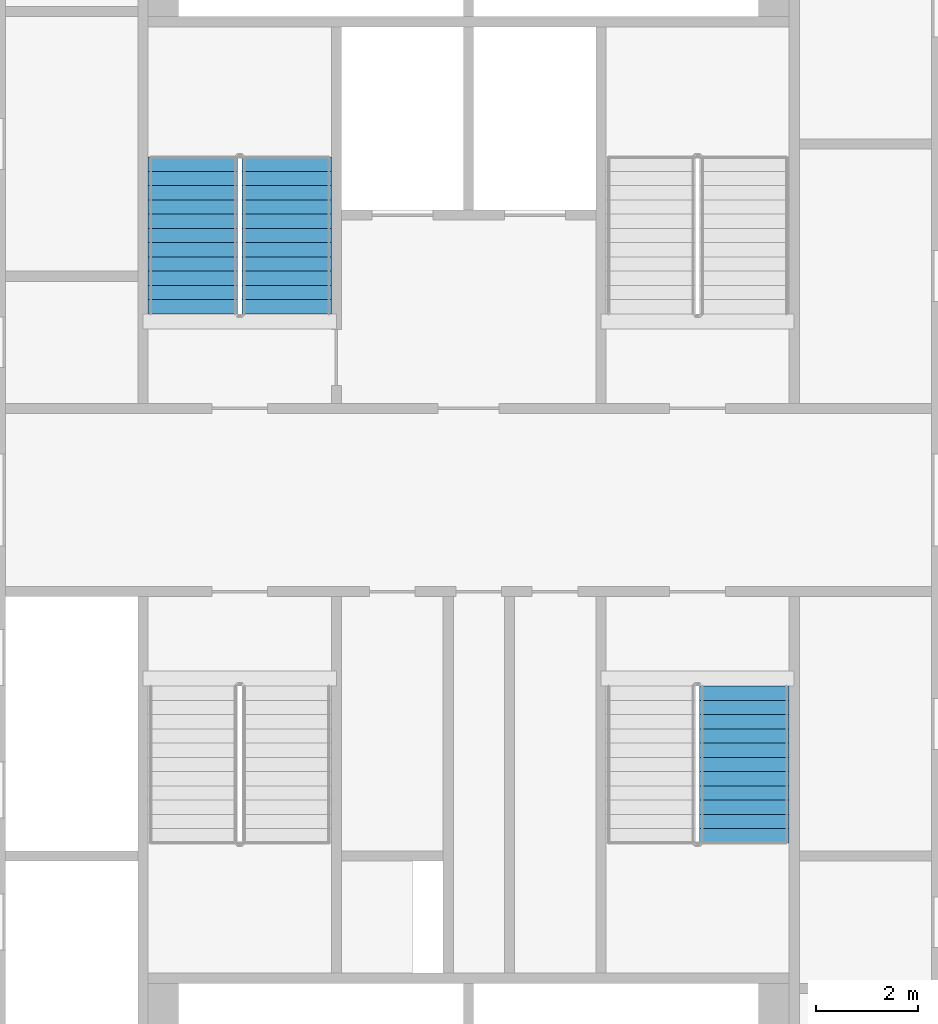
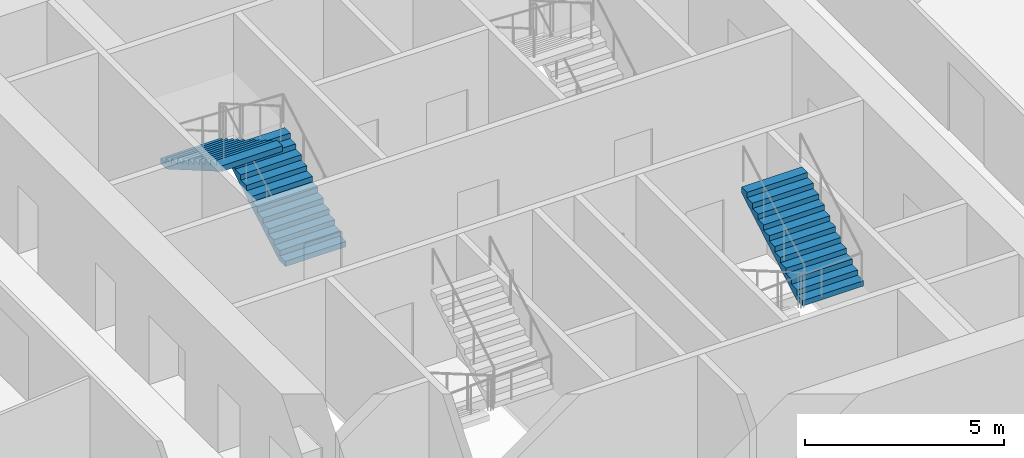
# One storey, part 16 of 22: 3 stair flights, 2 elements without a shape of their own.
"""IFC4 building model written with IfcOpenShell, lengths in metres."""

from ifc_helpers import new_model, si_unit, direction, frame, origin, place, context, subcontext, project, spatial, faceted_brep, material, type_object, element, aggregate, save


model = new_model("IFC4")

# Units and contexts
model_context = context("Model", 3, precision=1e-05, world=origin(), true_north=direction((0.0, 1.0)))
body_context = subcontext(model_context, "Body", "Model", "MODEL_VIEW")
ifc_project = project(units=[si_unit("LENGTHUNIT", "METRE"), si_unit("AREAUNIT", "SQUARE_METRE"), si_unit("VOLUMEUNIT", "CUBIC_METRE"), si_unit("PLANEANGLEUNIT", "RADIAN"), si_unit("MASSUNIT", "GRAM", prefix="KILO")], contexts=[model_context])

# Site, building, storey
site_placement = place(None, origin())
site = spatial("IfcSite", under=ifc_project, at=site_placement, CompositionType="ELEMENT")
building_placement = place(site_placement, origin())
building = spatial("IfcBuilding", under=site, at=building_placement, Name="Tarsis Ring Headquarters", CompositionType="ELEMENT")
storey_placement = place(building_placement, frame((0.0, 0.0, 71.199951171875)))
storey = spatial("IfcBuildingStorey", under=building, at=storey_placement, Name="L15", CompositionType="ELEMENT", Elevation=71.199951171875)

# Stair, stair flights
ifc_material_1 = material(Name="Core stair 1760")
stair_type = type_object("IfcStairType", Name="Core stair 1760", PredefinedType="HALF_TURN_STAIR", material=ifc_material_1)
stair_1_placement = place(storey_placement, origin())
stair_1 = element("IfcStair", 1, at=stair_1_placement, inside=storey, type_object=stair_type, Name="L15 Firefighting stair", PredefinedType="HALF_TURN_STAIR")
ifc_material_2 = material(Name="Concrete C40/50", Category="concrete")
stair_flight_type = type_object("IfcStairFlightType", Name="Core stair flight 1760", PredefinedType="STRAIGHT", material=ifc_material_2)
stair_flight_1_placement = place(storey_placement, frame((-3.580078125, 3.659912109375, 0.0), z_axis=(0.0, 0.0, 1.0), x_axis=(0.0, 1.0, 0.0)))
stair_flight_1 = element("IfcStairFlight", 2, at=stair_flight_1_placement, type_object=stair_flight_type, Name="Stair ST1 flight 1", NumberOfRisers=12, NumberOfTreads=11, PredefinedType="STRAIGHT", RiserHeight=0.1625, TreadLength=0.28, context=body_context, shape_type="Brep", body=[
    faceted_brep([(0.0, 0.8798828125, 0.0), (0.0, 0.8798828125, 0.16259765625), (0.280029296875, 0.8798828125, 0.16259765625), (0.280029296875, 0.8798828125, 0.324951171875), (0.56005859375, 0.8798828125, 0.324951171875), (0.56005859375, 0.8798828125, 0.487548828125), (0.840087890625, 0.8798828125, 0.487548828125), (0.840087890625, 0.8798828125, 0.64990234375), (1.1201171875, 0.8798828125, 0.64990234375), (1.1201171875, 0.8798828125, 0.8125), (1.39990234375, 0.8798828125, 0.8125), (1.39990234375, 0.8798828125, 0.97509765625), (1.679931640625, 0.8798828125, 0.97509765625), (1.679931640625, 0.8798828125, 1.137451171875), (1.9599609375, 0.8798828125, 1.137451171875), (1.9599609375, 0.8798828125, 1.300048828125), (2.239990234375, 0.8798828125, 1.300048828125), (2.239990234375, 0.8798828125, 1.46240234375), (2.52001953125, 0.8798828125, 1.46240234375), (2.52001953125, 0.8798828125, 1.625), (2.800048828125, 0.8798828125, 1.625), (2.800048828125, 0.8798828125, 1.78759765625), (3.080078125, 0.8798828125, 1.78759765625), (3.080078125, 0.8798828125, 1.6142578125), (0.298583984375, 0.8798828125, 0.0), (0.298583984375, -0.8798828125, 0.0), (3.080078125, -0.8798828125, 1.6142578125), (3.080078125, -0.8798828125, 1.78759765625), (2.800048828125, -0.8798828125, 1.78759765625), (2.800048828125, -0.8798828125, 1.625), (2.52001953125, -0.8798828125, 1.625), (2.52001953125, -0.8798828125, 1.46240234375), (2.239990234375, -0.8798828125, 1.46240234375), (2.239990234375, -0.8798828125, 1.300048828125), (1.9599609375, -0.8798828125, 1.300048828125), (1.9599609375, -0.8798828125, 1.137451171875), (1.679931640625, -0.8798828125, 1.137451171875), (1.679931640625, -0.8798828125, 0.97509765625), (1.39990234375, -0.8798828125, 0.97509765625), (1.39990234375, -0.8798828125, 0.8125), (1.1201171875, -0.8798828125, 0.8125), (1.1201171875, -0.8798828125, 0.64990234375), (0.840087890625, -0.8798828125, 0.64990234375), (0.840087890625, -0.8798828125, 0.487548828125), (0.56005859375, -0.8798828125, 0.487548828125), (0.56005859375, -0.8798828125, 0.324951171875), (0.280029296875, -0.8798828125, 0.324951171875), (0.280029296875, -0.8798828125, 0.16259765625), (0.0, -0.8798828125, 0.16259765625), (0.0, -0.8798828125, 0.0), (0.0, -0.43994140625, 0.16259765625), (0.0, -0.43994140625, 0.0), (0.0, 0.0, 0.16259765625), (0.0, 0.0, 0.0), (0.0, 0.43994140625, 0.16259765625), (0.0, 0.43994140625, 0.0), (0.280029296875, -0.43994140625, 0.16259765625), (0.280029296875, 0.0, 0.16259765625), (0.280029296875, 0.43994140625, 0.16259765625), (0.280029296875, -0.43994140625, 0.324951171875), (0.280029296875, 0.0, 0.324951171875), (0.280029296875, 0.43994140625, 0.324951171875), (0.56005859375, -0.43994140625, 0.324951171875), (0.56005859375, 0.0, 0.324951171875), (0.56005859375, 0.43994140625, 0.324951171875), (0.56005859375, -0.43994140625, 0.487548828125), (0.56005859375, 0.0, 0.487548828125), (0.56005859375, 0.43994140625, 0.487548828125), (0.840087890625, -0.43994140625, 0.487548828125), (0.840087890625, 0.0, 0.487548828125), (0.840087890625, 0.43994140625, 0.487548828125), (0.840087890625, -0.43994140625, 0.64990234375), (0.840087890625, 0.0, 0.64990234375), (0.840087890625, 0.43994140625, 0.64990234375), (1.1201171875, -0.43994140625, 0.64990234375), (1.1201171875, 0.0, 0.64990234375), (1.1201171875, 0.43994140625, 0.64990234375), (1.1201171875, -0.43994140625, 0.8125), (1.1201171875, 0.0, 0.8125), (1.1201171875, 0.43994140625, 0.8125), (1.39990234375, -0.43994140625, 0.8125), (1.39990234375, 0.0, 0.8125), (1.39990234375, 0.43994140625, 0.8125), (1.39990234375, -0.43994140625, 0.97509765625), (1.39990234375, 0.0, 0.97509765625), (1.39990234375, 0.43994140625, 0.97509765625), (1.679931640625, -0.43994140625, 0.97509765625), (1.679931640625, 0.0, 0.97509765625), (1.679931640625, 0.43994140625, 0.97509765625), (1.679931640625, -0.43994140625, 1.137451171875), (1.679931640625, 0.0, 1.137451171875), (1.679931640625, 0.43994140625, 1.137451171875), (1.9599609375, -0.43994140625, 1.137451171875), (1.9599609375, 0.0, 1.137451171875), (1.9599609375, 0.43994140625, 1.137451171875), (1.9599609375, -0.43994140625, 1.300048828125), (1.9599609375, 0.0, 1.300048828125), (1.9599609375, 0.43994140625, 1.300048828125), (2.239990234375, -0.43994140625, 1.300048828125), (2.239990234375, 0.0, 1.300048828125), (2.239990234375, 0.43994140625, 1.300048828125), (2.239990234375, -0.43994140625, 1.46240234375), (2.239990234375, 0.0, 1.46240234375), (2.239990234375, 0.43994140625, 1.46240234375), (2.52001953125, -0.43994140625, 1.46240234375), (2.52001953125, 0.0, 1.46240234375), (2.52001953125, 0.43994140625, 1.46240234375), (2.52001953125, -0.43994140625, 1.625), (2.52001953125, 0.0, 1.625), (2.52001953125, 0.43994140625, 1.625), (2.800048828125, -0.43994140625, 1.625), (2.800048828125, 0.0, 1.625), (2.800048828125, 0.43994140625, 1.625), (2.800048828125, -0.43994140625, 1.78759765625), (2.800048828125, 0.0, 1.78759765625), (2.800048828125, 0.43994140625, 1.78759765625), (3.080078125, -0.43994140625, 1.78759765625), (3.080078125, 0.0, 1.78759765625), (3.080078125, 0.43994140625, 1.78759765625), (3.080078125, -0.43994140625, 1.6142578125), (3.080078125, 0.0, 1.6142578125), (3.080078125, 0.43994140625, 1.6142578125), (0.298583984375, -0.43994140625, 0.0), (0.298583984375, 0.0, 0.0), (0.298583984375, 0.43994140625, 0.0)], [[[0, 1, 2, 3, 4, 5, 6, 7, 8, 9, 10, 11, 12, 13, 14, 15, 16, 17, 18, 19, 20, 21, 22, 23, 24]], [[25, 26, 27, 28, 29, 30, 31, 32, 33, 34, 35, 36, 37, 38, 39, 40, 41, 42, 43, 44, 45, 46, 47, 48, 49]], [[49, 48, 50, 51]], [[51, 50, 52, 53]], [[53, 52, 54, 55]], [[55, 54, 1, 0]], [[48, 47, 56, 50]], [[50, 56, 57, 52]], [[52, 57, 58, 54]], [[54, 58, 2, 1]], [[47, 46, 59, 56]], [[56, 59, 60, 57]], [[57, 60, 61, 58]], [[58, 61, 3, 2]], [[46, 45, 62, 59]], [[59, 62, 63, 60]], [[60, 63, 64, 61]], [[61, 64, 4, 3]], [[45, 44, 65, 62]], [[62, 65, 66, 63]], [[63, 66, 67, 64]], [[64, 67, 5, 4]], [[44, 43, 68, 65]], [[65, 68, 69, 66]], [[66, 69, 70, 67]], [[67, 70, 6, 5]], [[43, 42, 71, 68]], [[68, 71, 72, 69]], [[69, 72, 73, 70]], [[70, 73, 7, 6]], [[42, 41, 74, 71]], [[71, 74, 75, 72]], [[72, 75, 76, 73]], [[73, 76, 8, 7]], [[41, 40, 77, 74]], [[74, 77, 78, 75]], [[75, 78, 79, 76]], [[76, 79, 9, 8]], [[40, 39, 80, 77]], [[77, 80, 81, 78]], [[78, 81, 82, 79]], [[79, 82, 10, 9]], [[39, 38, 83, 80]], [[80, 83, 84, 81]], [[81, 84, 85, 82]], [[82, 85, 11, 10]], [[38, 37, 86, 83]], [[83, 86, 87, 84]], [[84, 87, 88, 85]], [[85, 88, 12, 11]], [[37, 36, 89, 86]], [[86, 89, 90, 87]], [[87, 90, 91, 88]], [[88, 91, 13, 12]], [[36, 35, 92, 89]], [[89, 92, 93, 90]], [[90, 93, 94, 91]], [[91, 94, 14, 13]], [[35, 34, 95, 92]], [[92, 95, 96, 93]], [[93, 96, 97, 94]], [[94, 97, 15, 14]], [[34, 33, 98, 95]], [[95, 98, 99, 96]], [[96, 99, 100, 97]], [[97, 100, 16, 15]], [[33, 32, 101, 98]], [[98, 101, 102, 99]], [[99, 102, 103, 100]], [[100, 103, 17, 16]], [[32, 31, 104, 101]], [[101, 104, 105, 102]], [[102, 105, 106, 103]], [[103, 106, 18, 17]], [[31, 30, 107, 104]], [[104, 107, 108, 105]], [[105, 108, 109, 106]], [[106, 109, 19, 18]], [[30, 29, 110, 107]], [[107, 110, 111, 108]], [[108, 111, 112, 109]], [[109, 112, 20, 19]], [[29, 28, 113, 110]], [[110, 113, 114, 111]], [[111, 114, 115, 112]], [[112, 115, 21, 20]], [[28, 27, 116, 113]], [[113, 116, 117, 114]], [[114, 117, 118, 115]], [[115, 118, 22, 21]], [[27, 26, 119, 116]], [[116, 119, 120, 117]], [[117, 120, 121, 118]], [[118, 121, 23, 22]], [[26, 25, 122, 119]], [[119, 122, 123, 120]], [[120, 123, 124, 121]], [[121, 124, 24, 23]], [[25, 49, 51, 122]], [[122, 51, 53, 123]], [[123, 53, 55, 124]], [[124, 55, 0, 24]]]),
])
stair_flight_2_placement = place(storey_placement, frame((-5.419921875, 6.739990234375, 1.949951171875), z_axis=(0.0, 0.0, 1.0), x_axis=(0.0, -1.0, 0.0)))
stair_flight_2 = element("IfcStairFlight", 3, at=stair_flight_2_placement, type_object=stair_flight_type, Name="Stair ST1 flight 2", NumberOfRisers=12, NumberOfTreads=11, PredefinedType="STRAIGHT", RiserHeight=0.1625, TreadLength=0.28, context=body_context, shape_type="Brep", body=[
    faceted_brep([(0.0, 0.8798828125, 0.0), (0.0, 0.8798828125, 0.16259765625), (0.280029296875, 0.8798828125, 0.16259765625), (0.280029296875, 0.8798828125, 0.324951171875), (0.56005859375, 0.8798828125, 0.324951171875), (0.56005859375, 0.8798828125, 0.487548828125), (0.840087890625, 0.8798828125, 0.487548828125), (0.840087890625, 0.8798828125, 0.64990234375), (1.1201171875, 0.8798828125, 0.64990234375), (1.1201171875, 0.8798828125, 0.8125), (1.39990234375, 0.8798828125, 0.8125), (1.39990234375, 0.8798828125, 0.97509765625), (1.679931640625, 0.8798828125, 0.97509765625), (1.679931640625, 0.8798828125, 1.137451171875), (1.9599609375, 0.8798828125, 1.137451171875), (1.9599609375, 0.8798828125, 1.300048828125), (2.239990234375, 0.8798828125, 1.300048828125), (2.239990234375, 0.8798828125, 1.46240234375), (2.52001953125, 0.8798828125, 1.46240234375), (2.52001953125, 0.8798828125, 1.625), (2.800048828125, 0.8798828125, 1.625), (2.800048828125, 0.8798828125, 1.78759765625), (3.080078125, 0.8798828125, 1.78759765625), (3.080078125, 0.8798828125, 1.6142578125), (0.298583984375, 0.8798828125, 0.0), (0.298583984375, -0.8798828125, 0.0), (3.080078125, -0.8798828125, 1.6142578125), (3.080078125, -0.8798828125, 1.78759765625), (2.800048828125, -0.8798828125, 1.78759765625), (2.800048828125, -0.8798828125, 1.625), (2.52001953125, -0.8798828125, 1.625), (2.52001953125, -0.8798828125, 1.46240234375), (2.239990234375, -0.8798828125, 1.46240234375), (2.239990234375, -0.8798828125, 1.300048828125), (1.9599609375, -0.8798828125, 1.300048828125), (1.9599609375, -0.8798828125, 1.137451171875), (1.679931640625, -0.8798828125, 1.137451171875), (1.679931640625, -0.8798828125, 0.97509765625), (1.39990234375, -0.8798828125, 0.97509765625), (1.39990234375, -0.8798828125, 0.8125), (1.1201171875, -0.8798828125, 0.8125), (1.1201171875, -0.8798828125, 0.64990234375), (0.840087890625, -0.8798828125, 0.64990234375), (0.840087890625, -0.8798828125, 0.487548828125), (0.56005859375, -0.8798828125, 0.487548828125), (0.56005859375, -0.8798828125, 0.324951171875), (0.280029296875, -0.8798828125, 0.324951171875), (0.280029296875, -0.8798828125, 0.16259765625), (0.0, -0.8798828125, 0.16259765625), (0.0, -0.8798828125, 0.0), (0.0, -0.43994140625, 0.16259765625), (0.0, -0.43994140625, 0.0), (0.0, 0.0, 0.16259765625), (0.0, 0.0, 0.0), (0.0, 0.43994140625, 0.16259765625), (0.0, 0.43994140625, 0.0), (0.280029296875, -0.43994140625, 0.16259765625), (0.280029296875, 0.0, 0.16259765625), (0.280029296875, 0.43994140625, 0.16259765625), (0.280029296875, -0.43994140625, 0.324951171875), (0.280029296875, 0.0, 0.324951171875), (0.280029296875, 0.43994140625, 0.324951171875), (0.56005859375, -0.43994140625, 0.324951171875), (0.56005859375, 0.0, 0.324951171875), (0.56005859375, 0.43994140625, 0.324951171875), (0.56005859375, -0.43994140625, 0.487548828125), (0.56005859375, 0.0, 0.487548828125), (0.56005859375, 0.43994140625, 0.487548828125), (0.840087890625, -0.43994140625, 0.487548828125), (0.840087890625, 0.0, 0.487548828125), (0.840087890625, 0.43994140625, 0.487548828125), (0.840087890625, -0.43994140625, 0.64990234375), (0.840087890625, 0.0, 0.64990234375), (0.840087890625, 0.43994140625, 0.64990234375), (1.1201171875, -0.43994140625, 0.64990234375), (1.1201171875, 0.0, 0.64990234375), (1.1201171875, 0.43994140625, 0.64990234375), (1.1201171875, -0.43994140625, 0.8125), (1.1201171875, 0.0, 0.8125), (1.1201171875, 0.43994140625, 0.8125), (1.39990234375, -0.43994140625, 0.8125), (1.39990234375, 0.0, 0.8125), (1.39990234375, 0.43994140625, 0.8125), (1.39990234375, -0.43994140625, 0.97509765625), (1.39990234375, 0.0, 0.97509765625), (1.39990234375, 0.43994140625, 0.97509765625), (1.679931640625, -0.43994140625, 0.97509765625), (1.679931640625, 0.0, 0.97509765625), (1.679931640625, 0.43994140625, 0.97509765625), (1.679931640625, -0.43994140625, 1.137451171875), (1.679931640625, 0.0, 1.137451171875), (1.679931640625, 0.43994140625, 1.137451171875), (1.9599609375, -0.43994140625, 1.137451171875), (1.9599609375, 0.0, 1.137451171875), (1.9599609375, 0.43994140625, 1.137451171875), (1.9599609375, -0.43994140625, 1.300048828125), (1.9599609375, 0.0, 1.300048828125), (1.9599609375, 0.43994140625, 1.300048828125), (2.239990234375, -0.43994140625, 1.300048828125), (2.239990234375, 0.0, 1.300048828125), (2.239990234375, 0.43994140625, 1.300048828125), (2.239990234375, -0.43994140625, 1.46240234375), (2.239990234375, 0.0, 1.46240234375), (2.239990234375, 0.43994140625, 1.46240234375), (2.52001953125, -0.43994140625, 1.46240234375), (2.52001953125, 0.0, 1.46240234375), (2.52001953125, 0.43994140625, 1.46240234375), (2.52001953125, -0.43994140625, 1.625), (2.52001953125, 0.0, 1.625), (2.52001953125, 0.43994140625, 1.625), (2.800048828125, -0.43994140625, 1.625), (2.800048828125, 0.0, 1.625), (2.800048828125, 0.43994140625, 1.625), (2.800048828125, -0.43994140625, 1.78759765625), (2.800048828125, 0.0, 1.78759765625), (2.800048828125, 0.43994140625, 1.78759765625), (3.080078125, -0.43994140625, 1.78759765625), (3.080078125, 0.0, 1.78759765625), (3.080078125, 0.43994140625, 1.78759765625), (3.080078125, -0.43994140625, 1.6142578125), (3.080078125, 0.0, 1.6142578125), (3.080078125, 0.43994140625, 1.6142578125), (0.298583984375, -0.43994140625, 0.0), (0.298583984375, 0.0, 0.0), (0.298583984375, 0.43994140625, 0.0)], [[[0, 1, 2, 3, 4, 5, 6, 7, 8, 9, 10, 11, 12, 13, 14, 15, 16, 17, 18, 19, 20, 21, 22, 23, 24]], [[25, 26, 27, 28, 29, 30, 31, 32, 33, 34, 35, 36, 37, 38, 39, 40, 41, 42, 43, 44, 45, 46, 47, 48, 49]], [[49, 48, 50, 51]], [[51, 50, 52, 53]], [[53, 52, 54, 55]], [[55, 54, 1, 0]], [[48, 47, 56, 50]], [[50, 56, 57, 52]], [[52, 57, 58, 54]], [[54, 58, 2, 1]], [[47, 46, 59, 56]], [[56, 59, 60, 57]], [[57, 60, 61, 58]], [[58, 61, 3, 2]], [[46, 45, 62, 59]], [[59, 62, 63, 60]], [[60, 63, 64, 61]], [[61, 64, 4, 3]], [[45, 44, 65, 62]], [[62, 65, 66, 63]], [[63, 66, 67, 64]], [[64, 67, 5, 4]], [[44, 43, 68, 65]], [[65, 68, 69, 66]], [[66, 69, 70, 67]], [[67, 70, 6, 5]], [[43, 42, 71, 68]], [[68, 71, 72, 69]], [[69, 72, 73, 70]], [[70, 73, 7, 6]], [[42, 41, 74, 71]], [[71, 74, 75, 72]], [[72, 75, 76, 73]], [[73, 76, 8, 7]], [[41, 40, 77, 74]], [[74, 77, 78, 75]], [[75, 78, 79, 76]], [[76, 79, 9, 8]], [[40, 39, 80, 77]], [[77, 80, 81, 78]], [[78, 81, 82, 79]], [[79, 82, 10, 9]], [[39, 38, 83, 80]], [[80, 83, 84, 81]], [[81, 84, 85, 82]], [[82, 85, 11, 10]], [[38, 37, 86, 83]], [[83, 86, 87, 84]], [[84, 87, 88, 85]], [[85, 88, 12, 11]], [[37, 36, 89, 86]], [[86, 89, 90, 87]], [[87, 90, 91, 88]], [[88, 91, 13, 12]], [[36, 35, 92, 89]], [[89, 92, 93, 90]], [[90, 93, 94, 91]], [[91, 94, 14, 13]], [[35, 34, 95, 92]], [[92, 95, 96, 93]], [[93, 96, 97, 94]], [[94, 97, 15, 14]], [[34, 33, 98, 95]], [[95, 98, 99, 96]], [[96, 99, 100, 97]], [[97, 100, 16, 15]], [[33, 32, 101, 98]], [[98, 101, 102, 99]], [[99, 102, 103, 100]], [[100, 103, 17, 16]], [[32, 31, 104, 101]], [[101, 104, 105, 102]], [[102, 105, 106, 103]], [[103, 106, 18, 17]], [[31, 30, 107, 104]], [[104, 107, 108, 105]], [[105, 108, 109, 106]], [[106, 109, 19, 18]], [[30, 29, 110, 107]], [[107, 110, 111, 108]], [[108, 111, 112, 109]], [[109, 112, 20, 19]], [[29, 28, 113, 110]], [[110, 113, 114, 111]], [[111, 114, 115, 112]], [[112, 115, 21, 20]], [[28, 27, 116, 113]], [[113, 116, 117, 114]], [[114, 117, 118, 115]], [[115, 118, 22, 21]], [[27, 26, 119, 116]], [[116, 119, 120, 117]], [[117, 120, 121, 118]], [[118, 121, 23, 22]], [[26, 25, 122, 119]], [[119, 122, 123, 120]], [[120, 123, 124, 121]], [[121, 124, 24, 23]], [[25, 49, 51, 122]], [[122, 51, 53, 123]], [[123, 53, 55, 124]], [[124, 55, 0, 24]]]),
])
aggregate(stair_1, [stair_flight_1, stair_flight_2])

# Stair, stair flight
stair_2_placement = place(storey_placement, origin())
stair_2 = element("IfcStair", 4, at=stair_2_placement, inside=storey, type_object=stair_type, Name="L15 Exit stair D", PredefinedType="HALF_TURN_STAIR")
stair_flight_3_placement = place(storey_placement, frame((5.419921875, -6.739990234375, 1.949951171875), z_axis=(0.0, 0.0, 1.0), x_axis=(0.0, 1.0, 0.0)))
stair_flight_3 = element("IfcStairFlight", 5, at=stair_flight_3_placement, type_object=stair_flight_type, Name="Stair ST4 flight 2", NumberOfRisers=12, NumberOfTreads=11, PredefinedType="STRAIGHT", RiserHeight=0.1625, TreadLength=0.28, context=body_context, shape_type="Brep", body=[
    faceted_brep([(0.0, 0.8798828125, 0.0), (0.0, 0.8798828125, 0.16259765625), (0.280029296875, 0.8798828125, 0.16259765625), (0.280029296875, 0.8798828125, 0.324951171875), (0.56005859375, 0.8798828125, 0.324951171875), (0.56005859375, 0.8798828125, 0.487548828125), (0.840087890625, 0.8798828125, 0.487548828125), (0.840087890625, 0.8798828125, 0.64990234375), (1.1201171875, 0.8798828125, 0.64990234375), (1.1201171875, 0.8798828125, 0.8125), (1.39990234375, 0.8798828125, 0.8125), (1.39990234375, 0.8798828125, 0.97509765625), (1.679931640625, 0.8798828125, 0.97509765625), (1.679931640625, 0.8798828125, 1.137451171875), (1.9599609375, 0.8798828125, 1.137451171875), (1.9599609375, 0.8798828125, 1.300048828125), (2.239990234375, 0.8798828125, 1.300048828125), (2.239990234375, 0.8798828125, 1.46240234375), (2.52001953125, 0.8798828125, 1.46240234375), (2.52001953125, 0.8798828125, 1.625), (2.800048828125, 0.8798828125, 1.625), (2.800048828125, 0.8798828125, 1.78759765625), (3.080078125, 0.8798828125, 1.78759765625), (3.080078125, 0.8798828125, 1.6142578125), (0.298583984375, 0.8798828125, 0.0), (0.298583984375, -0.8798828125, 0.0), (3.080078125, -0.8798828125, 1.6142578125), (3.080078125, -0.8798828125, 1.78759765625), (2.800048828125, -0.8798828125, 1.78759765625), (2.800048828125, -0.8798828125, 1.625), (2.52001953125, -0.8798828125, 1.625), (2.52001953125, -0.8798828125, 1.46240234375), (2.239990234375, -0.8798828125, 1.46240234375), (2.239990234375, -0.8798828125, 1.300048828125), (1.9599609375, -0.8798828125, 1.300048828125), (1.9599609375, -0.8798828125, 1.137451171875), (1.679931640625, -0.8798828125, 1.137451171875), (1.679931640625, -0.8798828125, 0.97509765625), (1.39990234375, -0.8798828125, 0.97509765625), (1.39990234375, -0.8798828125, 0.8125), (1.1201171875, -0.8798828125, 0.8125), (1.1201171875, -0.8798828125, 0.64990234375), (0.840087890625, -0.8798828125, 0.64990234375), (0.840087890625, -0.8798828125, 0.487548828125), (0.56005859375, -0.8798828125, 0.487548828125), (0.56005859375, -0.8798828125, 0.324951171875), (0.280029296875, -0.8798828125, 0.324951171875), (0.280029296875, -0.8798828125, 0.16259765625), (0.0, -0.8798828125, 0.16259765625), (0.0, -0.8798828125, 0.0), (0.0, -0.43994140625, 0.16259765625), (0.0, -0.43994140625, 0.0), (0.0, 0.0, 0.16259765625), (0.0, 0.0, 0.0), (0.0, 0.43994140625, 0.16259765625), (0.0, 0.43994140625, 0.0), (0.280029296875, -0.43994140625, 0.16259765625), (0.280029296875, 0.0, 0.16259765625), (0.280029296875, 0.43994140625, 0.16259765625), (0.280029296875, -0.43994140625, 0.324951171875), (0.280029296875, 0.0, 0.324951171875), (0.280029296875, 0.43994140625, 0.324951171875), (0.56005859375, -0.43994140625, 0.324951171875), (0.56005859375, 0.0, 0.324951171875), (0.56005859375, 0.43994140625, 0.324951171875), (0.56005859375, -0.43994140625, 0.487548828125), (0.56005859375, 0.0, 0.487548828125), (0.56005859375, 0.43994140625, 0.487548828125), (0.840087890625, -0.43994140625, 0.487548828125), (0.840087890625, 0.0, 0.487548828125), (0.840087890625, 0.43994140625, 0.487548828125), (0.840087890625, -0.43994140625, 0.64990234375), (0.840087890625, 0.0, 0.64990234375), (0.840087890625, 0.43994140625, 0.64990234375), (1.1201171875, -0.43994140625, 0.64990234375), (1.1201171875, 0.0, 0.64990234375), (1.1201171875, 0.43994140625, 0.64990234375), (1.1201171875, -0.43994140625, 0.8125), (1.1201171875, 0.0, 0.8125), (1.1201171875, 0.43994140625, 0.8125), (1.39990234375, -0.43994140625, 0.8125), (1.39990234375, 0.0, 0.8125), (1.39990234375, 0.43994140625, 0.8125), (1.39990234375, -0.43994140625, 0.97509765625), (1.39990234375, 0.0, 0.97509765625), (1.39990234375, 0.43994140625, 0.97509765625), (1.679931640625, -0.43994140625, 0.97509765625), (1.679931640625, 0.0, 0.97509765625), (1.679931640625, 0.43994140625, 0.97509765625), (1.679931640625, -0.43994140625, 1.137451171875), (1.679931640625, 0.0, 1.137451171875), (1.679931640625, 0.43994140625, 1.137451171875), (1.9599609375, -0.43994140625, 1.137451171875), (1.9599609375, 0.0, 1.137451171875), (1.9599609375, 0.43994140625, 1.137451171875), (1.9599609375, -0.43994140625, 1.300048828125), (1.9599609375, 0.0, 1.300048828125), (1.9599609375, 0.43994140625, 1.300048828125), (2.239990234375, -0.43994140625, 1.300048828125), (2.239990234375, 0.0, 1.300048828125), (2.239990234375, 0.43994140625, 1.300048828125), (2.239990234375, -0.43994140625, 1.46240234375), (2.239990234375, 0.0, 1.46240234375), (2.239990234375, 0.43994140625, 1.46240234375), (2.52001953125, -0.43994140625, 1.46240234375), (2.52001953125, 0.0, 1.46240234375), (2.52001953125, 0.43994140625, 1.46240234375), (2.52001953125, -0.43994140625, 1.625), (2.52001953125, 0.0, 1.625), (2.52001953125, 0.43994140625, 1.625), (2.800048828125, -0.43994140625, 1.625), (2.800048828125, 0.0, 1.625), (2.800048828125, 0.43994140625, 1.625), (2.800048828125, -0.43994140625, 1.78759765625), (2.800048828125, 0.0, 1.78759765625), (2.800048828125, 0.43994140625, 1.78759765625), (3.080078125, -0.43994140625, 1.78759765625), (3.080078125, 0.0, 1.78759765625), (3.080078125, 0.43994140625, 1.78759765625), (3.080078125, -0.43994140625, 1.6142578125), (3.080078125, 0.0, 1.6142578125), (3.080078125, 0.43994140625, 1.6142578125), (0.298583984375, -0.43994140625, 0.0), (0.298583984375, 0.0, 0.0), (0.298583984375, 0.43994140625, 0.0)], [[[0, 1, 2, 3, 4, 5, 6, 7, 8, 9, 10, 11, 12, 13, 14, 15, 16, 17, 18, 19, 20, 21, 22, 23, 24]], [[25, 26, 27, 28, 29, 30, 31, 32, 33, 34, 35, 36, 37, 38, 39, 40, 41, 42, 43, 44, 45, 46, 47, 48, 49]], [[49, 48, 50, 51]], [[51, 50, 52, 53]], [[53, 52, 54, 55]], [[55, 54, 1, 0]], [[48, 47, 56, 50]], [[50, 56, 57, 52]], [[52, 57, 58, 54]], [[54, 58, 2, 1]], [[47, 46, 59, 56]], [[56, 59, 60, 57]], [[57, 60, 61, 58]], [[58, 61, 3, 2]], [[46, 45, 62, 59]], [[59, 62, 63, 60]], [[60, 63, 64, 61]], [[61, 64, 4, 3]], [[45, 44, 65, 62]], [[62, 65, 66, 63]], [[63, 66, 67, 64]], [[64, 67, 5, 4]], [[44, 43, 68, 65]], [[65, 68, 69, 66]], [[66, 69, 70, 67]], [[67, 70, 6, 5]], [[43, 42, 71, 68]], [[68, 71, 72, 69]], [[69, 72, 73, 70]], [[70, 73, 7, 6]], [[42, 41, 74, 71]], [[71, 74, 75, 72]], [[72, 75, 76, 73]], [[73, 76, 8, 7]], [[41, 40, 77, 74]], [[74, 77, 78, 75]], [[75, 78, 79, 76]], [[76, 79, 9, 8]], [[40, 39, 80, 77]], [[77, 80, 81, 78]], [[78, 81, 82, 79]], [[79, 82, 10, 9]], [[39, 38, 83, 80]], [[80, 83, 84, 81]], [[81, 84, 85, 82]], [[82, 85, 11, 10]], [[38, 37, 86, 83]], [[83, 86, 87, 84]], [[84, 87, 88, 85]], [[85, 88, 12, 11]], [[37, 36, 89, 86]], [[86, 89, 90, 87]], [[87, 90, 91, 88]], [[88, 91, 13, 12]], [[36, 35, 92, 89]], [[89, 92, 93, 90]], [[90, 93, 94, 91]], [[91, 94, 14, 13]], [[35, 34, 95, 92]], [[92, 95, 96, 93]], [[93, 96, 97, 94]], [[94, 97, 15, 14]], [[34, 33, 98, 95]], [[95, 98, 99, 96]], [[96, 99, 100, 97]], [[97, 100, 16, 15]], [[33, 32, 101, 98]], [[98, 101, 102, 99]], [[99, 102, 103, 100]], [[100, 103, 17, 16]], [[32, 31, 104, 101]], [[101, 104, 105, 102]], [[102, 105, 106, 103]], [[103, 106, 18, 17]], [[31, 30, 107, 104]], [[104, 107, 108, 105]], [[105, 108, 109, 106]], [[106, 109, 19, 18]], [[30, 29, 110, 107]], [[107, 110, 111, 108]], [[108, 111, 112, 109]], [[109, 112, 20, 19]], [[29, 28, 113, 110]], [[110, 113, 114, 111]], [[111, 114, 115, 112]], [[112, 115, 21, 20]], [[28, 27, 116, 113]], [[113, 116, 117, 114]], [[114, 117, 118, 115]], [[115, 118, 22, 21]], [[27, 26, 119, 116]], [[116, 119, 120, 117]], [[117, 120, 121, 118]], [[118, 121, 23, 22]], [[26, 25, 122, 119]], [[119, 122, 123, 120]], [[120, 123, 124, 121]], [[121, 124, 24, 23]], [[25, 49, 51, 122]], [[122, 51, 53, 123]], [[123, 53, 55, 124]], [[124, 55, 0, 24]]]),
])
aggregate(stair_2, [stair_flight_3])

save(model, "model.ifc")
